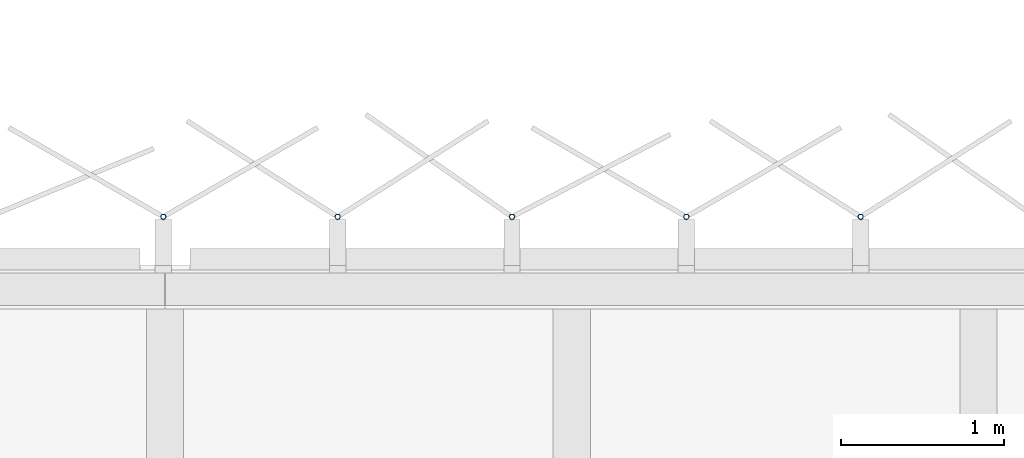
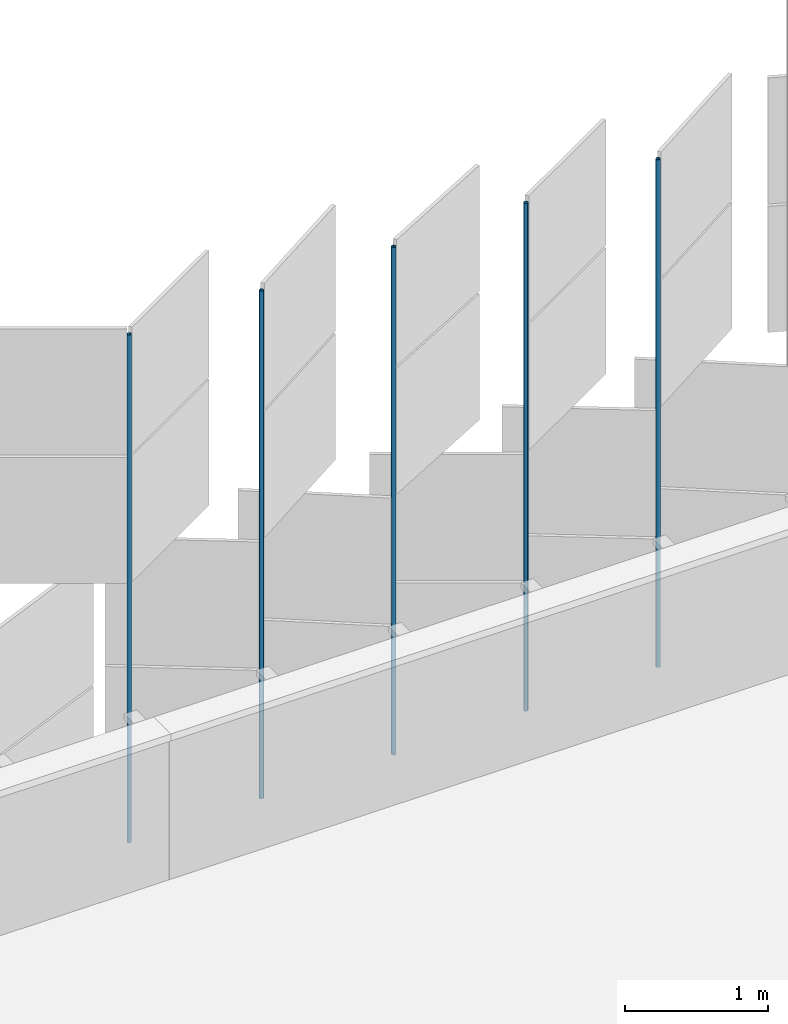
# One storey, part 340 of 483: 5 discrete accessories.
"""IFC4 building model written with IfcOpenShell, lengths in metres."""

from ifc_helpers import new_model, si_unit, direction, frame, origin, origin_2d, place, context, subcontext, project, spatial, hollow_circle, extrude, material, material_profile, profile_set, type_object, element, save


model = new_model("IFC4")

# Units and contexts
model_context = context("Model", 3, precision=1e-05, world=origin(), true_north=direction((0.0, 1.0)))
body_context = subcontext(model_context, "Body", "Model", "MODEL_VIEW")
ifc_project = project(units=[si_unit("LENGTHUNIT", "METRE"), si_unit("AREAUNIT", "SQUARE_METRE"), si_unit("VOLUMEUNIT", "CUBIC_METRE"), si_unit("PLANEANGLEUNIT", "RADIAN"), si_unit("MASSUNIT", "GRAM", prefix="KILO")], contexts=[model_context])

# Site, building, storey
site_placement = place(None, origin())
site = spatial("IfcSite", under=ifc_project, at=site_placement, CompositionType="ELEMENT")
building_placement = place(site_placement, origin())
building = spatial("IfcBuilding", under=site, at=building_placement, Name="Parallax Yard Mobility Hub", CompositionType="ELEMENT")
storey_placement = place(building_placement, frame((0.0, 0.0, 13.199951171875)))
storey = spatial("IfcBuildingStorey", under=building, at=storey_placement, Name="L04", CompositionType="ELEMENT", Elevation=13.199951171875)

# Discrete accessories
ifc_material = material(Name="Steel ASTM A500 Gr C, hot-dip galvanised", Category="steel")
ifc_material_profile = material_profile(ifc_material, hollow_circle(Radius=0.016845703125, WallThickness=0.003173828125, at=origin_2d()), Name="CHS 33.7x3.2")
ifc_profile_set = profile_set([ifc_material_profile], Name="Steel ASTM A500 Gr C, hot-dip galvanised")
discrete_accessory_type = type_object("IfcDiscreteAccessoryType", Name="Hinge post CHS 33.7x3.2", PredefinedType="BRACKET", material=ifc_profile_set)
for number, where, z_axis, x_axis, name in (
    (1, (71.775634765625, 142.800048828125, 0.0), (0.0, 0.0, 1.0), (1.0, 0.0, 0.0), "Hinge post bay 64.4 level L04"),
    (2, (70.7041015625, 142.800048828125, 0.0), (0.0, 0.0, 1.0), (1.0, 0.0, 0.0), "Hinge post bay 64.5 level L04"),
    (3, (69.632568359375, 142.800048828125, 0.0), (0.0, 0.0, 1.0), (1.0, 0.0, 0.0), "Hinge post bay 64.6 level L04"),
    (4, (68.56103515625, 142.800048828125, 0.0), (0.0, 0.0, 1.0), (1.0, 0.0, 0.0), "Hinge post bay 64.7 level L04"),
    (5, (67.489501953125, 142.800048828125, 0.0), (0.0, 0.0, 1.0), (1.0, 0.0, 0.0), "Hinge post bay 65.1 level L04"),
):
    element("IfcDiscreteAccessory", number, at=place(storey_placement, frame(where, z_axis=z_axis, x_axis=x_axis)), inside=storey, type_object=discrete_accessory_type, Name=name, PredefinedType="BRACKET", context=body_context, shape_type="SweptSolid", body=[
        extrude(hollow_circle(Radius=0.016845703125, WallThickness=0.003173828125, at=origin_2d()), origin(), (0.0, 0.0, 1.0), 4.35009765625),
    ])

save(model, "model.ifc")
